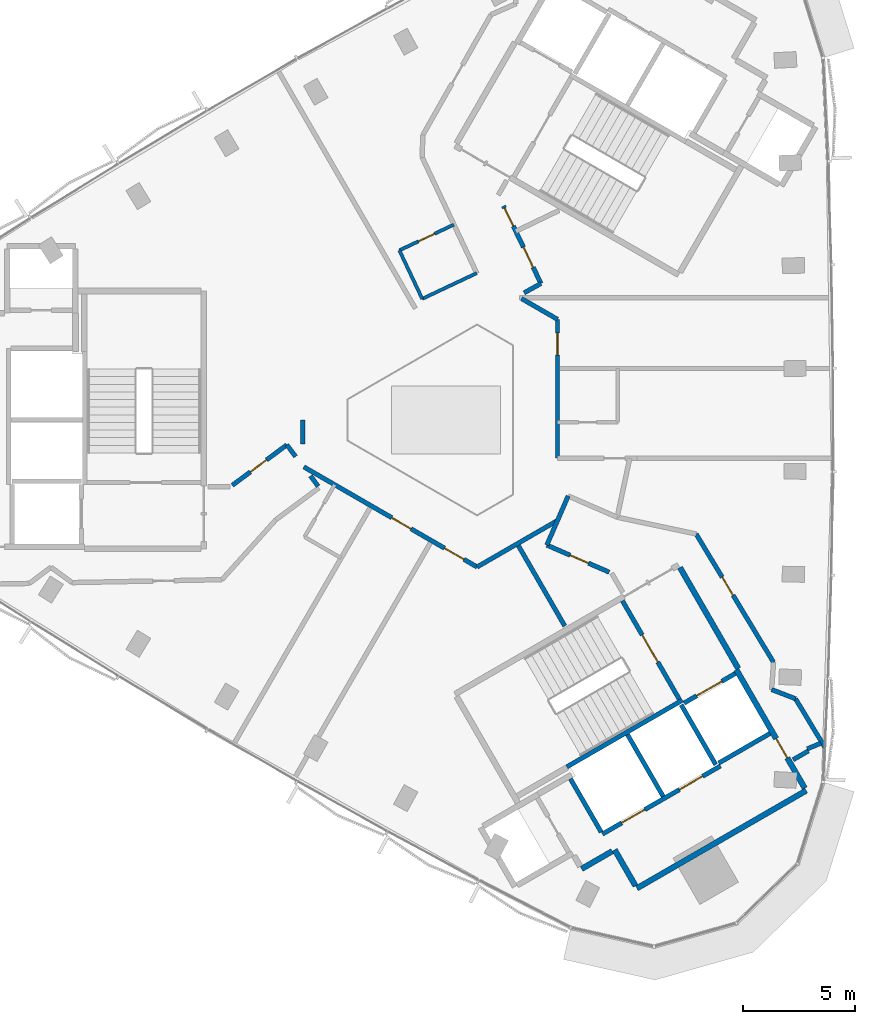
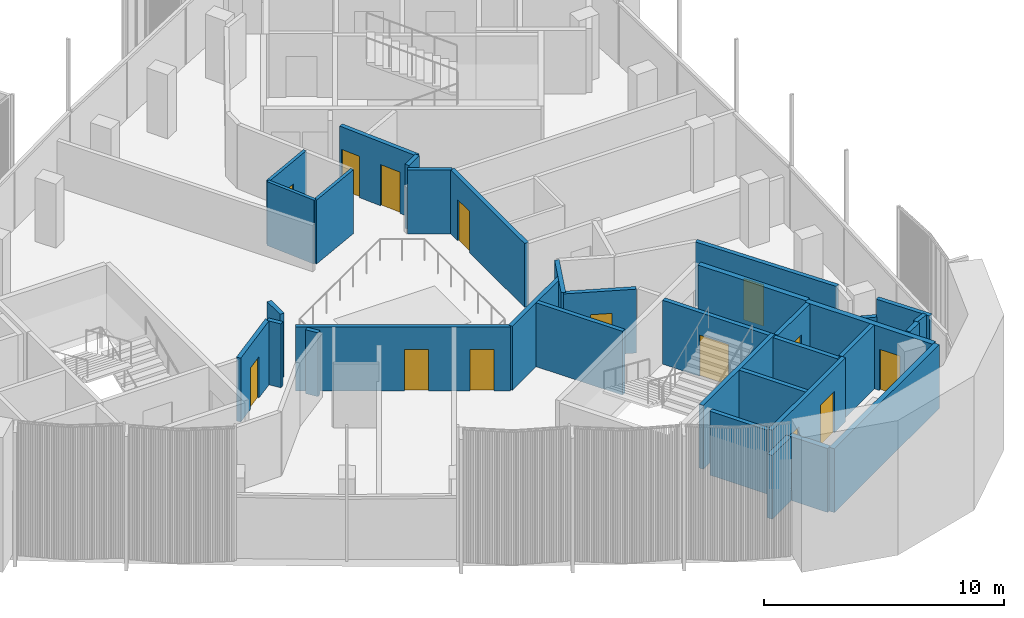
# One storey, part 7 of 12: 34 walls, 14 doors, 14 openings.
"""IFC4 building model written with IfcOpenShell, lengths in metres."""

from ifc_helpers import new_model, si_unit, direction, frame, frame_2d, origin, place, context, subcontext, project, spatial, rectangle, extrude, material, layer, layer_set, type_object, element, fill, save


model = new_model("IFC4")

# Units and contexts
model_context = context("Model", 3, precision=1e-05, world=origin(), true_north=direction((0.0, 1.0)))
body_context = subcontext(model_context, "Body", "Model", "MODEL_VIEW")
ifc_project = project(units=[si_unit("LENGTHUNIT", "METRE"), si_unit("AREAUNIT", "SQUARE_METRE"), si_unit("VOLUMEUNIT", "CUBIC_METRE"), si_unit("PLANEANGLEUNIT", "RADIAN"), si_unit("MASSUNIT", "GRAM", prefix="KILO")], contexts=[model_context])

# Site, building, storey
site_placement = place(None, origin())
site = spatial("IfcSite", under=ifc_project, at=site_placement, CompositionType="ELEMENT")
building_placement = place(site_placement, origin())
building = spatial("IfcBuilding", under=site, at=building_placement, Name="Tamra Quay Hotel Tower", CompositionType="ELEMENT")
storey_placement = place(building_placement, frame((0.0, 0.0, 262.199951171875)))
storey = spatial("IfcBuildingStorey", under=building, at=storey_placement, Name="L66", CompositionType="ELEMENT", Elevation=262.199951171875)

# Wall
ifc_material_1 = material(Name="Concrete M70", Category="concrete")
ifc_layer_1 = layer(ifc_material_1, 0.199951171875)
ifc_layer_set_1 = layer_set([ifc_layer_1], Name="Concrete M70 core wall 200")
wall_type_1 = type_object("IfcWallType", Name="Concrete M70 core wall 200", PredefinedType="SHEAR", material=ifc_layer_set_1)
wall_1_placement = place(storey_placement, frame((5.4189453125, -15.533935546875, 0.0), z_axis=(0.0, 0.0, 1.0), x_axis=(0.866029065029, 0.499993658486, 0.0)))
element("IfcWall", 1, at=wall_1_placement, inside=storey, type_object=wall_type_1, Name="CW2", PredefinedType="SHEAR", context=body_context, shape_type="SweptSolid", body=[
    extrude(rectangle(XDim=5.97412109375, YDim=0.199951171875, at=frame_2d((2.987060546875, 0.0))), origin(), (0.0, 0.0, 1.0), 3.25),
])

# Wall, openings, doors
wall_2_placement = place(storey_placement, frame((7.009765625, -18.54150390625, 0.0), z_axis=(0.0, 0.0, 1.0), x_axis=(0.866030299012, 0.499991521122, 0.0)))
wall_2 = element("IfcWall", 2, at=wall_2_placement, inside=storey, type_object=wall_type_1, Name="CW2", PredefinedType="SHEAR", context=body_context, shape_type="SweptSolid", body=[
    extrude(rectangle(XDim=6.10009765625, YDim=0.199951171875, at=frame_2d((3.050048828125, 0.0))), origin(), (0.0, 0.0, 1.0), 3.25),
])
opening_1_placement = place(wall_2_placement, frame((1.0, 0.0, 0.0)))
opening_1 = element("IfcOpeningElement", 3, at=opening_1_placement, cuts=wall_2, Name="Opening LD", PredefinedType="OPENING", context=body_context, shape_type="SweptSolid", body=[
    extrude(rectangle(XDim=1.199951171875, YDim=2.10009765625, at=frame_2d((0.60009765625, 1.050048828125))), frame((0.0, 0.10986328125, 0.0), z_axis=(0.0, -1.0, 0.0), x_axis=(1.0, 0.0, 0.0)), (0.0, 0.0, 1.0), 0.219970703125),
])
opening_2_placement = place(wall_2_placement, frame((3.982177734375, 0.0, 0.0)))
opening_2 = element("IfcOpeningElement", 4, at=opening_2_placement, cuts=wall_2, Name="Opening LD", PredefinedType="OPENING", context=body_context, shape_type="SweptSolid", body=[
    extrude(rectangle(XDim=1.199951171875, YDim=2.10009765625, at=frame_2d((0.60009765625, 1.050048828125))), frame((0.0, 0.10986328125, 0.0), z_axis=(0.0, -1.0, 0.0), x_axis=(1.0, 0.0, 0.0)), (0.0, 0.0, 1.0), 0.219970703125),
])
ifc_material_2 = material(Name="Landing door LD 1200 double door sliding")
door_type_1 = type_object("IfcDoorType", Name="Landing door LD 1200 double door sliding", OperationType="DOUBLE_DOOR_SLIDING", PredefinedType="DOOR", material=ifc_material_2)
door_1_placement = place(opening_1_placement, origin())
door_1 = element("IfcDoor", 5, at=door_1_placement, inside=storey, type_object=door_type_1, Name="LD", OperationType="DOUBLE_DOOR_SLIDING", OverallHeight=2.10009765625, OverallWidth=1.199951171875, PredefinedType="DOOR", context=body_context, shape_type="SweptSolid", body=[
    extrude(rectangle(XDim=1.199951171875, YDim=2.10009765625, at=frame_2d((0.60009765625, 1.050048828125))), frame((0.0, 0.02490234375, 0.0), z_axis=(0.0, -1.0, 0.0), x_axis=(1.0, 0.0, 0.0)), (0.0, 0.0, 1.0), 0.050048828125),
])
fill(opening_1, door_1)
door_2_placement = place(opening_2_placement, origin())
door_2 = element("IfcDoor", 6, at=door_2_placement, inside=storey, type_object=door_type_1, Name="LD", OperationType="DOUBLE_DOOR_SLIDING", OverallHeight=2.10009765625, OverallWidth=1.199951171875, PredefinedType="DOOR", context=body_context, shape_type="SweptSolid", body=[
    extrude(rectangle(XDim=1.199951171875, YDim=2.10009765625, at=frame_2d((0.60009765625, 1.050048828125))), frame((0.0, 0.02490234375, 0.0), z_axis=(0.0, -1.0, 0.0), x_axis=(1.0, 0.0, 0.0)), (0.0, 0.0, 1.0), 0.050048828125),
])
fill(opening_2, door_2)

# Wall, opening, door
wall_3_placement = place(storey_placement, frame((7.906494140625, -8.094482421875, 0.0), z_axis=(0.0, 0.0, 1.0), x_axis=(0.500027839223, -0.866009330205, 0.0)))
wall_3 = element("IfcWall", 7, at=wall_3_placement, inside=storey, type_object=wall_type_1, Name="CW2", PredefinedType="SHEAR", context=body_context, shape_type="SweptSolid", body=[
    extrude(rectangle(XDim=5.097900390625, YDim=0.199951171875, at=frame_2d((2.548828125, 0.0))), origin(), (0.0, 0.0, 1.0), 3.25),
])
opening_3_placement = place(wall_3_placement, frame((1.77392578125, 0.0, 0.0)))
opening_3 = element("IfcOpeningElement", 8, at=opening_3_placement, cuts=wall_3, Name="Opening FD2", PredefinedType="OPENING", context=body_context, shape_type="SweptSolid", body=[
    extrude(rectangle(XDim=1.39990234375, YDim=2.10009765625, at=frame_2d((0.699951171875, 1.050048828125))), frame((0.0, 0.10986328125, 0.0), z_axis=(0.0, -1.0, 0.0), x_axis=(1.0, 0.0, 0.0)), (0.0, 0.0, 1.0), 0.219970703125),
])
ifc_material_3 = material(Name="Core door FD2 1400x2100 RH")
door_type_2 = type_object("IfcDoorType", Name="Core door FD2 1400x2100 RH", OperationType="NOTDEFINED", PredefinedType="DOOR", material=ifc_material_3)
door_3_placement = place(opening_3_placement, origin())
door_3 = element("IfcDoor", 9, at=door_3_placement, inside=storey, type_object=door_type_2, Name="FD2", OperationType="SINGLE_SWING_RIGHT", OverallHeight=2.10009765625, OverallWidth=1.39990234375, PredefinedType="DOOR", context=body_context, shape_type="SweptSolid", body=[
    extrude(rectangle(XDim=1.39990234375, YDim=2.10009765625, at=frame_2d((0.699951171875, 1.050048828125))), frame((0.0, 0.02490234375, 0.0), z_axis=(0.0, -1.0, 0.0), x_axis=(1.0, 0.0, 0.0)), (0.0, 0.0, 1.0), 0.050048828125),
])
fill(opening_3, door_3)

# Walls
wall_4_placement = place(storey_placement, frame((8.131591796875, -14.084228515625, 0.0), z_axis=(0.0, 0.0, 1.0), x_axis=(0.499997778408, -0.866026686418, 0.0)))
element("IfcWall", 10, at=wall_4_placement, inside=storey, type_object=wall_type_1, Name="CW2", PredefinedType="SHEAR", context=body_context, shape_type="SweptSolid", body=[
    extrude(rectangle(XDim=3.1982421875, YDim=0.199951171875, at=frame_2d((1.59912109375, 0.0))), origin(), (0.0, 0.0, 1.0), 3.25),
])
wall_5_placement = place(storey_placement, frame((6.959716796875, -18.455078125, 0.0), z_axis=(0.0, 0.0, 1.0), x_axis=(-0.499926705758, 0.866067716099, 0.0)))
element("IfcWall", 11, at=wall_5_placement, inside=storey, type_object=wall_type_1, Name="CW2", PredefinedType="SHEAR", context=body_context, shape_type="SweptSolid", body=[
    extrude(rectangle(XDim=2.75927734375, YDim=0.199951171875, at=frame_2d((1.379638671875, 0.0))), origin(), (0.0, 0.0, 1.0), 3.25),
])
wall_6_placement = place(storey_placement, frame((12.087646484375, -15.4365234375, 0.0), z_axis=(0.0, 0.0, 1.0), x_axis=(-0.500026960575, 0.86600983753, 0.0)))
element("IfcWall", 12, at=wall_6_placement, inside=storey, type_object=wall_type_1, Name="CW2", PredefinedType="SHEAR", context=body_context, shape_type="SweptSolid", body=[
    extrude(rectangle(XDim=3.099853515625, YDim=0.199951171875, at=frame_2d((1.5498046875, 0.0))), origin(), (0.0, 0.0, 1.0), 3.25),
])

# Wall, opening, door
wall_7_placement = place(storey_placement, frame((10.666015625, -12.677734375, 0.0), z_axis=(0.0, 0.0, 1.0), x_axis=(0.866018407898, 0.500012117035, 0.0)))
wall_7 = element("IfcWall", 13, at=wall_7_placement, inside=storey, type_object=wall_type_1, Name="CW2", PredefinedType="SHEAR", context=body_context, shape_type="SweptSolid", body=[
    extrude(rectangle(XDim=2.65087890625, YDim=0.199951171875, at=frame_2d((1.325439453125, 0.0))), origin(), (0.0, 0.0, 1.0), 3.25),
])
opening_4_placement = place(wall_7_placement, frame((0.65185546875, 0.0, 0.0)))
opening_4 = element("IfcOpeningElement", 14, at=opening_4_placement, cuts=wall_7, Name="Opening LD", PredefinedType="OPENING", context=body_context, shape_type="SweptSolid", body=[
    extrude(rectangle(XDim=1.300048828125, YDim=2.10009765625, at=frame_2d((0.64990234375, 1.050048828125))), frame((0.0, 0.10986328125, 0.0), z_axis=(0.0, -1.0, 0.0), x_axis=(1.0, 0.0, 0.0)), (0.0, 0.0, 1.0), 0.219970703125),
])
ifc_material_4 = material(Name="Landing door LD 1300 sliding to right")
door_type_3 = type_object("IfcDoorType", Name="Landing door LD 1300 sliding to right", OperationType="NOTDEFINED", PredefinedType="DOOR", material=ifc_material_4)
door_4_placement = place(opening_4_placement, origin())
door_4 = element("IfcDoor", 15, at=door_4_placement, inside=storey, type_object=door_type_3, Name="LD", OperationType="SLIDING_TO_RIGHT", OverallHeight=2.10009765625, OverallWidth=1.300048828125, PredefinedType="DOOR", context=body_context, shape_type="SweptSolid", body=[
    extrude(rectangle(XDim=1.300048828125, YDim=2.10009765625, at=frame_2d((0.64990234375, 1.050048828125))), frame((0.0, 0.02490234375, 0.0), z_axis=(0.0, -1.0, 0.0), x_axis=(1.0, 0.0, 0.0)), (0.0, 0.0, 1.0), 0.050048828125),
])
fill(opening_4, door_4)

# Walls
wall_8_placement = place(storey_placement, frame((14.51171875, -14.037109375, 0.0), z_axis=(0.0, 0.0, 1.0), x_axis=(-0.866018407898, -0.500012117035, 0.0)))
element("IfcWall", 16, at=wall_8_placement, inside=storey, type_object=wall_type_1, Name="CW2", PredefinedType="SHEAR", context=body_context, shape_type="SweptSolid", body=[
    extrude(rectangle(XDim=2.65087890625, YDim=0.199951171875, at=frame_2d((1.325439453125, 0.0))), origin(), (0.0, 0.0, 1.0), 3.25),
])
ifc_layer_2 = layer(ifc_material_1, 0.25)
ifc_layer_set_2 = layer_set([ifc_layer_2], Name="Concrete M70 core wall 250")
wall_type_2 = type_object("IfcWallType", Name="Concrete M70 core wall 250", PredefinedType="SHEAR", material=ifc_layer_set_2)
wall_9_placement = place(storey_placement, frame((16.13330078125, -16.59375, 0.0), z_axis=(0.0, 0.0, 1.0), x_axis=(-0.866022959057, -0.500004234368, 0.0)))
element("IfcWall", 17, at=wall_9_placement, inside=storey, type_object=wall_type_2, Name="CW1", PredefinedType="SHEAR", context=body_context, shape_type="SweptSolid", body=[
    extrude(rectangle(XDim=8.75, YDim=0.25, at=frame_2d((4.375, 0.0))), origin(), (0.0, 0.0, 1.0), 3.25),
])

# Wall, opening, door
wall_10_placement = place(storey_placement, frame((13.00830078125, -11.18115234375, 0.0), z_axis=(0.0, 0.0, 1.0), x_axis=(0.500001955336, -0.866024274868, 0.0)))
wall_10 = element("IfcWall", 18, at=wall_10_placement, inside=storey, type_object=wall_type_2, Name="CW1", PredefinedType="SHEAR", context=body_context, shape_type="SweptSolid", body=[
    extrude(rectangle(XDim=6.12451171875, YDim=0.25, at=frame_2d((3.062255859375, 0.0))), origin(), (0.0, 0.0, 1.0), 3.25),
])
opening_5_placement = place(wall_10_placement, frame((3.562744140625, 0.0, 0.0)))
opening_5 = element("IfcOpeningElement", 19, at=opening_5_placement, cuts=wall_10, Name="Opening FD3", PredefinedType="OPENING", context=body_context, shape_type="SweptSolid", body=[
    extrude(rectangle(XDim=1.0, YDim=2.10009765625, at=frame_2d((0.5, 1.050048828125))), frame((0.0, 0.135009765625, 0.0), z_axis=(0.0, -1.0, 0.0), x_axis=(1.0, 0.0, 0.0)), (0.0, 0.0, 1.0), 0.27001953125),
])
ifc_material_5 = material(Name="Core door FD3 1000x2100 LH")
door_type_4 = type_object("IfcDoorType", Name="Core door FD3 1000x2100 LH", OperationType="NOTDEFINED", PredefinedType="DOOR", material=ifc_material_5)
door_5_placement = place(opening_5_placement, origin())
door_5 = element("IfcDoor", 20, at=door_5_placement, inside=storey, type_object=door_type_4, Name="FD3", OperationType="SINGLE_SWING_LEFT", OverallHeight=2.10009765625, OverallWidth=1.0, PredefinedType="DOOR", context=body_context, shape_type="SweptSolid", body=[
    extrude(rectangle(XDim=1.0, YDim=2.10009765625, at=frame_2d((0.5, 1.050048828125))), frame((0.0, 0.02490234375, 0.0), z_axis=(0.0, -1.0, 0.0), x_axis=(1.0, 0.0, 0.0)), (0.0, 0.0, 1.0), 0.050048828125),
])
fill(opening_5, door_5)

# Walls
wall_11_placement = place(storey_placement, frame((10.482666015625, -6.6064453125, 0.0), z_axis=(0.0, 0.0, 1.0), x_axis=(0.49999885962, -0.866026062182, 0.0)))
element("IfcWall", 21, at=wall_11_placement, inside=storey, type_object=wall_type_2, Name="CW1", PredefinedType="SHEAR", context=body_context, shape_type="SweptSolid", body=[
    extrude(rectangle(XDim=5.224609375, YDim=0.25, at=frame_2d((2.6123046875, 0.0))), origin(), (0.0, 0.0, 1.0), 3.25),
])
wall_12_placement = place(storey_placement, frame((8.492919921875, -20.860107421875, 0.0), z_axis=(0.0, 0.0, 1.0), x_axis=(-0.500039802285, 0.866002422705, 0.0)))
element("IfcWall", 22, at=wall_12_placement, inside=storey, type_object=wall_type_2, Name="CW1", PredefinedType="SHEAR", context=body_context, shape_type="SweptSolid", body=[
    extrude(rectangle(XDim=1.864501953125, YDim=0.25, at=frame_2d((0.93212890625, 0.0))), origin(), (0.0, 0.0, 1.0), 3.25),
])
wall_13_placement = place(storey_placement, frame((7.451904296875, -19.30810546875, 0.0), z_axis=(0.0, 0.0, 1.0), x_axis=(-0.866044474677, -0.49996696679, 0.0)))
element("IfcWall", 23, at=wall_13_placement, inside=storey, type_object=wall_type_2, Name="CW1", PredefinedType="SHEAR", context=body_context, shape_type="SweptSolid", body=[
    extrude(rectangle(XDim=1.58447265625, YDim=0.25, at=frame_2d((0.792236328125, 0.0))), origin(), (0.0, 0.0, 1.0), 3.25),
])

# Wall, opening, door
ifc_material_6 = material(Name="Partition corridor wall")
ifc_layer_3 = layer(ifc_material_6, 0.199951171875)
ifc_layer_set_3 = layer_set([ifc_layer_3], Name="Partition corridor wall")
wall_type_3 = type_object("IfcWallType", Name="Partition corridor wall", PredefinedType="PARTITIONING", material=ifc_layer_set_3)
wall_14_placement = place(storey_placement, frame((-7.114990234375, -1.114990234375, 0.0), z_axis=(0.0, 0.0, 1.0), x_axis=(-0.803344165632, -0.595515030495, 0.0)))
wall_14 = element("IfcWall", 24, at=wall_14_placement, inside=storey, type_object=wall_type_3, Name="W-C", PredefinedType="PARTITIONING", context=body_context, shape_type="SweptSolid", body=[
    extrude(rectangle(XDim=3.046142578125, YDim=0.199951171875, at=frame_2d((1.52294921875, 0.0))), origin(), (0.0, 0.0, 1.0), 3.25),
])
opening_6_placement = place(wall_14_placement, frame((1.1328125, 0.0, 0.0)))
opening_6 = element("IfcOpeningElement", 25, at=opening_6_placement, cuts=wall_14, Name="Opening L66-D010", PredefinedType="OPENING", context=body_context, shape_type="SweptSolid", body=[
    extrude(rectangle(XDim=0.89990234375, YDim=2.10009765625, at=frame_2d((0.449951171875, 1.050048828125))), frame((0.0, 0.10986328125, 0.0), z_axis=(0.0, -1.0, 0.0), x_axis=(1.0, 0.0, 0.0)), (0.0, 0.0, 1.0), 0.219970703125),
])
ifc_material_7 = material(Name="Door service room 900x2100")
door_type_5 = type_object("IfcDoorType", Name="Door service room 900x2100", OperationType="NOTDEFINED", PredefinedType="DOOR", material=ifc_material_7)
door_6_placement = place(opening_6_placement, origin())
door_6 = element("IfcDoor", 26, at=door_6_placement, inside=storey, type_object=door_type_5, Name="L66-D010", OperationType="SINGLE_SWING_LEFT", OverallHeight=2.10009765625, OverallWidth=0.89990234375, PredefinedType="DOOR", context=body_context, shape_type="SweptSolid", body=[
    extrude(rectangle(XDim=0.89990234375, YDim=2.10009765625, at=frame_2d((0.449951171875, 1.050048828125))), frame((0.0, 0.02490234375, 0.0), z_axis=(0.0, -1.0, 0.0), x_axis=(1.0, 0.0, 0.0)), (0.0, 0.0, 1.0), 0.050048828125),
])
fill(opening_6, door_6)

# Walls
wall_15_placement = place(storey_placement, frame((-7.114013671875, -1.114990234375, 0.0), z_axis=(0.0, 0.0, 1.0), x_axis=(0.595075286625, -0.803669959155, 0.0)))
element("IfcWall", 27, at=wall_15_placement, inside=storey, type_object=wall_type_3, Name="W-C", PredefinedType="PARTITIONING", context=body_context, shape_type="SweptSolid", body=[
    extrude(rectangle(XDim=0.65185546875, YDim=0.199951171875, at=frame_2d((0.325927734375, 0.0))), origin(), (0.0, 0.0, 1.0), 3.25),
])
wall_16_placement = place(storey_placement, frame((-6.39990234375, -1.073974609375, 0.0), z_axis=(0.0, 0.0, 1.0), x_axis=(0.0, 1.0, 0.0)))
element("IfcWall", 28, at=wall_16_placement, inside=storey, type_object=wall_type_3, Name="W-C", PredefinedType="PARTITIONING", context=body_context, shape_type="SweptSolid", body=[
    extrude(rectangle(XDim=1.073974609375, YDim=0.199951171875, at=frame_2d((0.537109375, 0.0))), origin(), (0.0, 0.0, 1.0), 3.25),
])
wall_17_placement = place(storey_placement, frame((-6.05712890625, -2.506591796875, 0.0), z_axis=(0.0, 0.0, 1.0), x_axis=(0.594974339713, -0.803744695213, 0.0)))
element("IfcWall", 29, at=wall_17_placement, inside=storey, type_object=wall_type_3, Name="W-C", PredefinedType="PARTITIONING", context=body_context, shape_type="SweptSolid", body=[
    extrude(rectangle(XDim=0.576416015625, YDim=0.199951171875, at=frame_2d((0.2880859375, 0.0))), origin(), (0.0, 0.0, 1.0), 3.25),
])

# Wall, openings, doors
wall_18_placement = place(storey_placement, frame((-6.35595703125, -2.10302734375, 0.0), z_axis=(0.0, 0.0, 1.0), x_axis=(0.865939059902, -0.50014952218, 0.0)))
wall_18 = element("IfcWall", 30, at=wall_18_placement, inside=storey, type_object=wall_type_3, Name="W-C", PredefinedType="PARTITIONING", context=body_context, shape_type="SweptSolid", body=[
    extrude(rectangle(XDim=8.956298828125, YDim=0.199951171875, at=frame_2d((4.47802734375, 0.0))), origin(), (0.0, 0.0, 1.0), 3.25),
])
opening_7_placement = place(wall_18_placement, frame((4.54638671875, 0.0, 0.0)))
opening_7 = element("IfcOpeningElement", 31, at=opening_7_placement, cuts=wall_18, Name="Opening L66-D013", PredefinedType="OPENING", context=body_context, shape_type="SweptSolid", body=[
    extrude(rectangle(XDim=1.0, YDim=2.10009765625, at=frame_2d((0.5, 1.050048828125))), frame((0.0, 0.10986328125, 0.0), z_axis=(0.0, -1.0, 0.0), x_axis=(1.0, 0.0, 0.0)), (0.0, 0.0, 1.0), 0.219970703125),
])
opening_8_placement = place(wall_18_placement, frame((7.275146484375, 0.0, 0.0)))
opening_8 = element("IfcOpeningElement", 32, at=opening_8_placement, cuts=wall_18, Name="Opening L66-D014", PredefinedType="OPENING", context=body_context, shape_type="SweptSolid", body=[
    extrude(rectangle(XDim=1.0, YDim=2.10009765625, at=frame_2d((0.5, 1.050048828125))), frame((0.0, 0.10986328125, 0.0), z_axis=(0.0, -1.0, 0.0), x_axis=(1.0, 0.0, 0.0)), (0.0, 0.0, 1.0), 0.219970703125),
])
ifc_material_8 = material(Name="Door guest room 1000x2100")
door_type_6 = type_object("IfcDoorType", Name="Door guest room 1000x2100", OperationType="NOTDEFINED", PredefinedType="DOOR", material=ifc_material_8)
door_7_placement = place(opening_7_placement, frame((1.0, 0.0, 0.0), z_axis=(0.0, 0.0, 1.0), x_axis=(-1.0, 0.0, 0.0)))
door_7 = element("IfcDoor", 33, at=door_7_placement, inside=storey, type_object=door_type_6, Name="L66-D013", OperationType="SINGLE_SWING_LEFT", OverallHeight=2.10009765625, OverallWidth=1.0, PredefinedType="DOOR", context=body_context, shape_type="SweptSolid", body=[
    extrude(rectangle(XDim=1.0, YDim=2.10009765625, at=frame_2d((0.5, 1.050048828125))), frame((0.0, 0.02490234375, 0.0), z_axis=(0.0, -1.0, 0.0), x_axis=(1.0, 0.0, 0.0)), (0.0, 0.0, 1.0), 0.050048828125),
])
fill(opening_7, door_7)
door_8_placement = place(opening_8_placement, frame((1.0, 0.0, 0.0), z_axis=(0.0, 0.0, 1.0), x_axis=(-1.0, 0.0, 0.0)))
door_8 = element("IfcDoor", 34, at=door_8_placement, inside=storey, type_object=door_type_6, Name="L66-D014", OperationType="SINGLE_SWING_LEFT", OverallHeight=2.10009765625, OverallWidth=1.0, PredefinedType="DOOR", context=body_context, shape_type="SweptSolid", body=[
    extrude(rectangle(XDim=1.0, YDim=2.10009765625, at=frame_2d((0.5, 1.050048828125))), frame((0.0, 0.02490234375, 0.0), z_axis=(0.0, -1.0, 0.0), x_axis=(1.0, 0.0, 0.0)), (0.0, 0.0, 1.0), 0.050048828125),
])
fill(opening_8, door_8)

# Wall
wall_19_placement = place(storey_placement, frame((1.400634765625, -6.5830078125, 0.0), z_axis=(0.0, 0.0, 1.0), x_axis=(0.865818713766, 0.500357826853, 0.0)))
element("IfcWall", 35, at=wall_19_placement, inside=storey, type_object=wall_type_3, Name="W-C", PredefinedType="PARTITIONING", context=body_context, shape_type="SweptSolid", body=[
    extrude(rectangle(XDim=4.1572265625, YDim=0.199951171875, at=frame_2d((2.07861328125, 0.0))), origin(), (0.0, 0.0, 1.0), 3.25),
])

# Wall, openings, doors
wall_20_placement = place(storey_placement, frame((4.259521484375, 6.109130859375, 0.0), z_axis=(0.0, 0.0, 1.0), x_axis=(-0.434189007872, 0.900821794498, 0.0)))
wall_20 = element("IfcWall", 36, at=wall_20_placement, inside=storey, type_object=wall_type_3, Name="W-C", PredefinedType="PARTITIONING", context=body_context, shape_type="SweptSolid", body=[
    extrude(rectangle(XDim=3.852783203125, YDim=0.199951171875, at=frame_2d((1.92626953125, 0.0))), origin(), (0.0, 0.0, 1.0), 3.25),
])
opening_9_placement = place(wall_20_placement, frame((2.852783203125, 0.0, 0.0)))
opening_9 = element("IfcOpeningElement", 37, at=opening_9_placement, cuts=wall_20, Name="Opening L66-D005", PredefinedType="OPENING", context=body_context, shape_type="SweptSolid", body=[
    extrude(rectangle(XDim=0.89990234375, YDim=2.10009765625, at=frame_2d((0.449951171875, 1.050048828125))), frame((0.0, 0.10986328125, 0.0), z_axis=(0.0, -1.0, 0.0), x_axis=(1.0, 0.0, 0.0)), (0.0, 0.0, 1.0), 0.219970703125),
])
opening_10_placement = place(wall_20_placement, frame((0.8037109375, 0.0, 0.0)))
opening_10 = element("IfcOpeningElement", 38, at=opening_10_placement, cuts=wall_20, Name="Opening L66-D006", PredefinedType="OPENING", context=body_context, shape_type="SweptSolid", body=[
    extrude(rectangle(XDim=1.0, YDim=2.10009765625, at=frame_2d((0.5, 1.050048828125))), frame((0.0, 0.10986328125, 0.0), z_axis=(0.0, -1.0, 0.0), x_axis=(1.0, 0.0, 0.0)), (0.0, 0.0, 1.0), 0.219970703125),
])
door_9_placement = place(opening_10_placement, origin())
door_9 = element("IfcDoor", 39, at=door_9_placement, inside=storey, type_object=door_type_6, Name="L66-D006", OperationType="SINGLE_SWING_LEFT", OverallHeight=2.10009765625, OverallWidth=1.0, PredefinedType="DOOR", context=body_context, shape_type="SweptSolid", body=[
    extrude(rectangle(XDim=1.0, YDim=2.10009765625, at=frame_2d((0.5, 1.050048828125))), frame((0.0, 0.02490234375, 0.0), z_axis=(0.0, -1.0, 0.0), x_axis=(1.0, 0.0, 0.0)), (0.0, 0.0, 1.0), 0.050048828125),
])
fill(opening_10, door_9)
door_10_placement = place(opening_9_placement, origin())
door_10 = element("IfcDoor", 40, at=door_10_placement, inside=storey, type_object=door_type_5, Name="L66-D005", OperationType="SINGLE_SWING_LEFT", OverallHeight=2.10009765625, OverallWidth=0.89990234375, PredefinedType="DOOR", context=body_context, shape_type="SweptSolid", body=[
    extrude(rectangle(XDim=0.89990234375, YDim=2.10009765625, at=frame_2d((0.449951171875, 1.050048828125))), frame((0.0, 0.02490234375, 0.0), z_axis=(0.0, -1.0, 0.0), x_axis=(1.0, 0.0, 0.0)), (0.0, 0.0, 1.0), 0.050048828125),
])
fill(opening_9, door_10)

# Walls
wall_21_placement = place(storey_placement, frame((3.389892578125, 5.43310546875, 0.0), z_axis=(0.0, 0.0, 1.0), x_axis=(0.866117799835, -0.499839931186, 0.0)))
element("IfcWall", 41, at=wall_21_placement, inside=storey, type_object=wall_type_3, Name="W-C", PredefinedType="PARTITIONING", context=body_context, shape_type="SweptSolid", body=[
    extrude(rectangle(XDim=1.85888671875, YDim=0.199951171875, at=frame_2d((0.929443359375, 0.0))), origin(), (0.0, 0.0, 1.0), 3.25),
])
wall_22_placement = place(storey_placement, frame((3.507080078125, 5.68994140625, 0.0), z_axis=(0.0, 0.0, 1.0), x_axis=(0.873567976284, 0.486702158215, 0.0)))
element("IfcWall", 42, at=wall_22_placement, inside=storey, type_object=wall_type_3, Name="W-C", PredefinedType="PARTITIONING", context=body_context, shape_type="SweptSolid", body=[
    extrude(rectangle(XDim=0.86083984375, YDim=0.199951171875, at=frame_2d((0.430419921875, 0.0))), origin(), (0.0, 0.0, 1.0), 3.25),
])
wall_23_placement = place(storey_placement, frame((4.52294921875, -5.60400390625, 0.0), z_axis=(0.0, 0.0, 1.0), x_axis=(0.398033282066, 0.917370975324, 0.0)))
element("IfcWall", 43, at=wall_23_placement, inside=storey, type_object=wall_type_3, Name="W-C", PredefinedType="PARTITIONING", context=body_context, shape_type="SweptSolid", body=[
    extrude(rectangle(XDim=2.39697265625, YDim=0.199951171875, at=frame_2d((1.198486328125, 0.0))), origin(), (0.0, 0.0, 1.0), 3.25),
])

# Wall, opening, door
wall_24_placement = place(storey_placement, frame((4.52294921875, -5.60400390625, 0.0), z_axis=(0.0, 0.0, 1.0), x_axis=(0.917390838441, -0.397987499231, 0.0)))
wall_24 = element("IfcWall", 44, at=wall_24_placement, inside=storey, type_object=wall_type_3, Name="W-C", PredefinedType="PARTITIONING", context=body_context, shape_type="SweptSolid", body=[
    extrude(rectangle(XDim=3.04638671875, YDim=0.199951171875, at=frame_2d((1.523193359375, 0.0))), origin(), (0.0, 0.0, 1.0), 3.25),
])
opening_11_placement = place(wall_24_placement, frame((1.1328125, 0.0, 0.0)))
opening_11 = element("IfcOpeningElement", 45, at=opening_11_placement, cuts=wall_24, Name="Opening L66-D001", PredefinedType="OPENING", context=body_context, shape_type="SweptSolid", body=[
    extrude(rectangle(XDim=0.89990234375, YDim=2.10009765625, at=frame_2d((0.449951171875, 1.050048828125))), frame((0.0, 0.10986328125, 0.0), z_axis=(0.0, -1.0, 0.0), x_axis=(1.0, 0.0, 0.0)), (0.0, 0.0, 1.0), 0.219970703125),
])
door_11_placement = place(opening_11_placement, frame((0.89990234375, 0.0, 0.0), z_axis=(0.0, 0.0, 1.0), x_axis=(-1.0, 0.0, 0.0)))
door_11 = element("IfcDoor", 46, at=door_11_placement, inside=storey, type_object=door_type_5, Name="L66-D001", OperationType="SINGLE_SWING_LEFT", OverallHeight=2.10009765625, OverallWidth=0.89990234375, PredefinedType="DOOR", context=body_context, shape_type="SweptSolid", body=[
    extrude(rectangle(XDim=0.89990234375, YDim=2.10009765625, at=frame_2d((0.449951171875, 1.050048828125))), frame((0.0, 0.02490234375, 0.0), z_axis=(0.0, -1.0, 0.0), x_axis=(1.0, 0.0, 0.0)), (0.0, 0.0, 1.0), 0.050048828125),
])
fill(opening_11, door_11)

wall_25_placement = place(storey_placement, frame((5.0, -1.70703125, 0.0), z_axis=(0.0, 0.0, 1.0), x_axis=(0.0, 1.0, 0.0)))
wall_25 = element("IfcWall", 47, at=wall_25_placement, inside=storey, type_object=wall_type_3, Name="W-C", PredefinedType="PARTITIONING", context=body_context, shape_type="SweptSolid", body=[
    extrude(rectangle(XDim=6.2109375, YDim=0.199951171875, at=frame_2d((3.10546875, 0.0))), origin(), (0.0, 0.0, 1.0), 3.25),
])
opening_12_placement = place(wall_25_placement, frame((4.60498046875, 0.0, 0.0)))
opening_12 = element("IfcOpeningElement", 48, at=opening_12_placement, cuts=wall_25, Name="Opening L66-D007", PredefinedType="OPENING", context=body_context, shape_type="SweptSolid", body=[
    extrude(rectangle(XDim=1.0, YDim=2.10009765625, at=frame_2d((0.5, 1.050048828125))), frame((0.0, 0.10986328125, 0.0), z_axis=(0.0, -1.0, 0.0), x_axis=(1.0, 0.0, 0.0)), (0.0, 0.0, 1.0), 0.219970703125),
])
door_12_placement = place(opening_12_placement, frame((1.0, 0.0, 0.0), z_axis=(0.0, 0.0, 1.0), x_axis=(-1.0, 0.0, 0.0)))
door_12 = element("IfcDoor", 49, at=door_12_placement, inside=storey, type_object=door_type_6, Name="L66-D007", OperationType="SINGLE_SWING_LEFT", OverallHeight=2.10009765625, OverallWidth=1.0, PredefinedType="DOOR", context=body_context, shape_type="SweptSolid", body=[
    extrude(rectangle(XDim=1.0, YDim=2.10009765625, at=frame_2d((0.5, 1.050048828125))), frame((0.0, 0.02490234375, 0.0), z_axis=(0.0, -1.0, 0.0), x_axis=(1.0, 0.0, 0.0)), (0.0, 0.0, 1.0), 0.050048828125),
])
fill(opening_12, door_12)

wall_26_placement = place(storey_placement, frame((11.205078125, -5.10498046875, 0.0), z_axis=(0.0, 0.0, 1.0), x_axis=(0.516682442017, -0.856177116087, 0.0)))
wall_26 = element("IfcWall", 50, at=wall_26_placement, inside=storey, type_object=wall_type_3, Name="W-C", PredefinedType="PARTITIONING", context=body_context, shape_type="SweptSolid", body=[
    extrude(rectangle(XDim=6.710205078125, YDim=0.199951171875, at=frame_2d((3.35498046875, 0.0))), origin(), (0.0, 0.0, 1.0), 3.25),
])
opening_13_placement = place(wall_26_placement, frame((2.259765625, 0.0, 0.0)))
opening_13 = element("IfcOpeningElement", 51, at=opening_13_placement, cuts=wall_26, Name="Opening L66-D002", PredefinedType="OPENING", context=body_context, shape_type="SweptSolid", body=[
    extrude(rectangle(XDim=0.949951171875, YDim=2.10009765625, at=frame_2d((0.47509765625, 1.050048828125))), frame((0.0, 0.10986328125, 0.0), z_axis=(0.0, -1.0, 0.0), x_axis=(1.0, 0.0, 0.0)), (0.0, 0.0, 1.0), 0.219970703125),
])
ifc_material_9 = material(Name="Door guest room 950x2100")
door_type_7 = type_object("IfcDoorType", Name="Door guest room 950x2100", OperationType="NOTDEFINED", PredefinedType="DOOR", material=ifc_material_9)
door_13_placement = place(opening_13_placement, origin())
door_13 = element("IfcDoor", 52, at=door_13_placement, inside=storey, type_object=door_type_7, Name="L66-D002", OperationType="SINGLE_SWING_LEFT", OverallHeight=2.10009765625, OverallWidth=0.949951171875, PredefinedType="DOOR", context=body_context, shape_type="SweptSolid", body=[
    extrude(rectangle(XDim=0.949951171875, YDim=2.10009765625, at=frame_2d((0.47509765625, 1.050048828125))), frame((0.0, 0.02490234375, 0.0), z_axis=(0.0, -1.0, 0.0), x_axis=(1.0, 0.0, 0.0)), (0.0, 0.0, 1.0), 0.050048828125),
])
fill(opening_13, door_13)

# Walls
wall_27_placement = place(storey_placement, frame((14.5869140625, -12.071044921875, 0.0), z_axis=(0.0, 0.0, 1.0), x_axis=(0.933192153307, -0.359377802606, 0.0)))
element("IfcWall", 53, at=wall_27_placement, inside=storey, type_object=wall_type_3, Name="W-C", PredefinedType="PARTITIONING", context=body_context, shape_type="SweptSolid", body=[
    extrude(rectangle(XDim=1.148681640625, YDim=0.199951171875, at=frame_2d((0.57421875, 0.0))), origin(), (0.0, 0.0, 1.0), 2.35009765625),
])
wall_28_placement = place(storey_placement, frame((15.5498046875, -15.213134765625, 0.0), z_axis=(0.0, 0.0, 1.0), x_axis=(0.865989998118, 0.500061319399, 0.0)))
element("IfcWall", 54, at=wall_28_placement, inside=storey, type_object=wall_type_3, Name="W-C", PredefinedType="PARTITIONING", context=body_context, shape_type="SweptSolid", body=[
    extrude(rectangle(XDim=0.7900390625, YDim=0.199951171875, at=frame_2d((0.39501953125, 0.0))), origin(), (0.0, 0.0, 1.0), 3.25),
])
wall_29_placement = place(storey_placement, frame((15.65869140625, -12.485107421875, 0.0), z_axis=(0.0, 0.0, 1.0), x_axis=(0.516729412104, -0.856148769003, 0.0)))
element("IfcWall", 55, at=wall_29_placement, inside=storey, type_object=wall_type_3, Name="W-C", PredefinedType="PARTITIONING", context=body_context, shape_type="SweptSolid", body=[
    extrude(rectangle(XDim=2.53759765625, YDim=0.199951171875, at=frame_2d((1.268798828125, 0.0))), origin(), (0.0, 0.0, 1.0), 3.25),
])
wall_30_placement = place(storey_placement, frame((16.181884765625, -14.72802734375, 0.0), z_axis=(0.0, 0.0, 1.0), x_axis=(0.922058491377, 0.387050563207, 0.0)))
element("IfcWall", 56, at=wall_30_placement, inside=storey, type_object=wall_type_3, Name="W-C", PredefinedType="PARTITIONING", context=body_context, shape_type="SweptSolid", body=[
    extrude(rectangle(XDim=0.66162109375, YDim=0.199951171875, at=frame_2d((0.330810546875, 0.0))), origin(), (0.0, 0.0, 1.0), 3.25),
])
ifc_material_10 = material(Name="Partition en-suite wall")
ifc_layer_4 = layer(ifc_material_10, 0.14990234375)
ifc_layer_set_4 = layer_set([ifc_layer_4], Name="Partition en-suite wall")
wall_type_4 = type_object("IfcWallType", Name="Partition en-suite wall", PredefinedType="PARTITIONING", material=ifc_layer_set_4)
wall_31_placement = place(storey_placement, frame((-2.077880859375, 7.590087890625, 0.0), z_axis=(0.0, 0.0, 1.0), x_axis=(0.426709924428, -0.904388545037, 0.0)))
element("IfcWall", 57, at=wall_31_placement, inside=storey, type_object=wall_type_4, Name="W-E", PredefinedType="PARTITIONING", context=body_context, shape_type="SweptSolid", body=[
    extrude(rectangle(XDim=2.39501953125, YDim=0.14990234375, at=frame_2d((1.197509765625, 0.0))), origin(), (0.0, 0.0, 1.0), 3.25),
])

# Wall, opening, door
wall_32_placement = place(storey_placement, frame((-2.076904296875, 7.593017578125, 0.0), z_axis=(0.0, 0.0, 1.0), x_axis=(0.904196218291, 0.427117312724, 0.0)))
wall_32 = element("IfcWall", 58, at=wall_32_placement, inside=storey, type_object=wall_type_4, Name="W-E", PredefinedType="PARTITIONING", context=body_context, shape_type="SweptSolid", body=[
    extrude(rectangle(XDim=2.697265625, YDim=0.14990234375, at=frame_2d((1.3486328125, 0.0))), origin(), (0.0, 0.0, 1.0), 3.25),
])
opening_14_placement = place(wall_32_placement, frame((0.947998046875, 0.0, 0.0)))
opening_14 = element("IfcOpeningElement", 59, at=opening_14_placement, cuts=wall_32, Name="Opening L66-D009", PredefinedType="OPENING", context=body_context, shape_type="SweptSolid", body=[
    extrude(rectangle(XDim=0.800048828125, YDim=2.10009765625, at=frame_2d((0.39990234375, 1.050048828125))), frame((0.0, 0.0849609375, 0.0), z_axis=(0.0, -1.0, 0.0), x_axis=(1.0, 0.0, 0.0)), (0.0, 0.0, 1.0), 0.169921875),
])
ifc_material_11 = material(Name="Door en-suite 800x2100")
door_type_8 = type_object("IfcDoorType", Name="Door en-suite 800x2100", OperationType="NOTDEFINED", PredefinedType="DOOR", material=ifc_material_11)
door_14_placement = place(opening_14_placement, origin())
door_14 = element("IfcDoor", 60, at=door_14_placement, inside=storey, type_object=door_type_8, Name="L66-D009", OperationType="SINGLE_SWING_LEFT", OverallHeight=2.10009765625, OverallWidth=0.800048828125, PredefinedType="DOOR", context=body_context, shape_type="SweptSolid", body=[
    extrude(rectangle(XDim=0.800048828125, YDim=2.10009765625, at=frame_2d((0.39990234375, 1.050048828125))), frame((0.0, 0.02490234375, 0.0), z_axis=(0.0, -1.0, 0.0), x_axis=(1.0, 0.0, 0.0)), (0.0, 0.0, 1.0), 0.050048828125),
])
fill(opening_14, door_14)

# Walls
wall_33_placement = place(storey_placement, frame((-1.052978515625, 5.423095703125, 0.0), z_axis=(0.0, 0.0, 1.0), x_axis=(0.904370950432, 0.426747213247, 0.0)))
element("IfcWall", 61, at=wall_33_placement, inside=storey, type_object=wall_type_4, Name="W-E", PredefinedType="PARTITIONING", context=body_context, shape_type="SweptSolid", body=[
    extrude(rectangle(XDim=2.69677734375, YDim=0.14990234375, at=frame_2d((1.348388671875, 0.0))), origin(), (0.0, 0.0, 1.0), 3.25),
])
ifc_material_12 = material(Name="Partition party wall")
ifc_layer_5 = layer(ifc_material_12, 0.199951171875)
ifc_layer_set_5 = layer_set([ifc_layer_5], Name="Partition party wall")
wall_type_5 = type_object("IfcWallType", Name="Partition party wall", PredefinedType="PARTITIONING", material=ifc_layer_set_5)
wall_34_placement = place(storey_placement, frame((3.199951171875, -5.54296875, 0.0), z_axis=(0.0, 0.0, 1.0), x_axis=(0.500060428066, -0.865990512813, 0.0)))
element("IfcWall", 62, at=wall_34_placement, inside=storey, type_object=wall_type_5, Name="W-P", PredefinedType="PARTITIONING", context=body_context, shape_type="SweptSolid", body=[
    extrude(rectangle(XDim=4.251953125, YDim=0.199951171875, at=frame_2d((2.1259765625, 0.0))), origin(), (0.0, 0.0, 1.0), 3.25),
])

save(model, "model.ifc")
